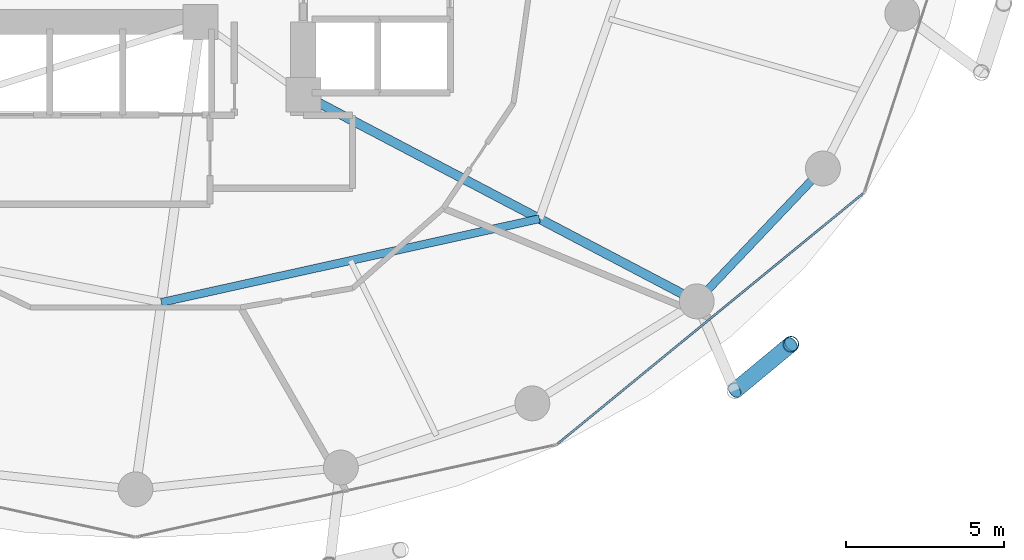
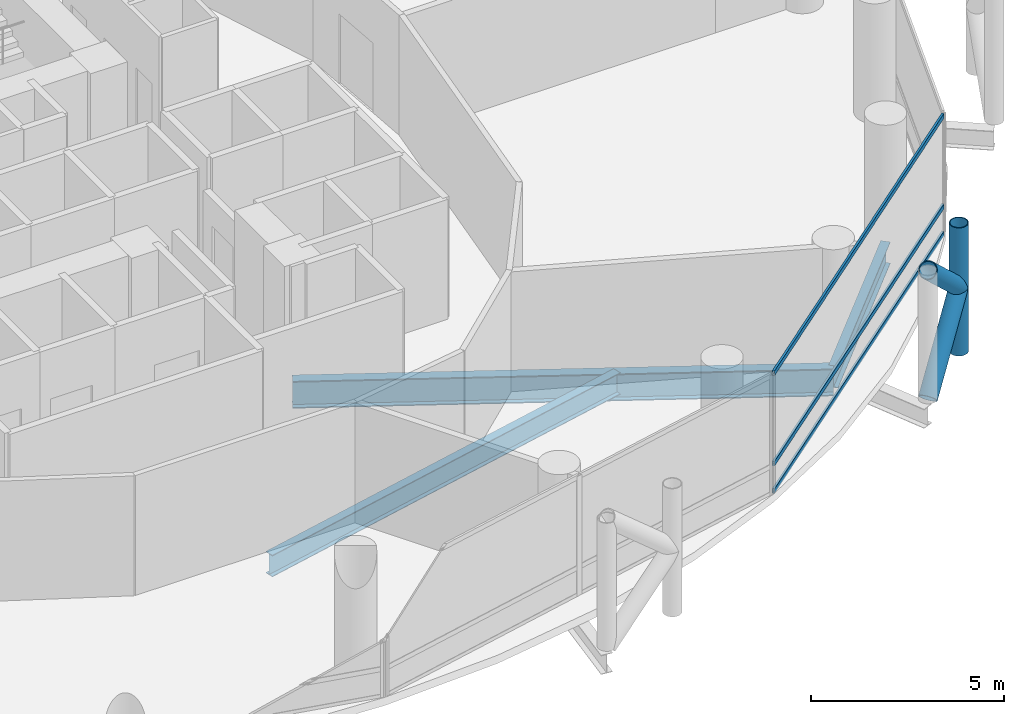
# One storey, part 9 of 24: 6 members, 3 beams, 1 element without a shape of its own.
"""IFC4 building model written with IfcOpenShell, lengths in metres."""

from ifc_helpers import new_model, si_unit, direction, frame, origin, origin_2d, place, context, subcontext, project, spatial, hollow_rectangle, hollow_circle, i_section, extrude, material, layer, layer_set, material_profile, profile_set, type_object, element, aggregate, save


model = new_model("IFC4")

# Units and contexts
model_context = context("Model", 3, precision=1e-05, world=origin(), true_north=direction((0.0, 1.0)))
body_context = subcontext(model_context, "Body", "Model", "MODEL_VIEW")
ifc_project = project(units=[si_unit("LENGTHUNIT", "METRE"), si_unit("AREAUNIT", "SQUARE_METRE"), si_unit("VOLUMEUNIT", "CUBIC_METRE"), si_unit("PLANEANGLEUNIT", "RADIAN"), si_unit("MASSUNIT", "GRAM", prefix="KILO")], contexts=[model_context])

# Site, building, storey
site_placement = place(None, origin())
site = spatial("IfcSite", under=ifc_project, at=site_placement, CompositionType="ELEMENT")
building_placement = place(site_placement, origin())
building = spatial("IfcBuilding", under=site, at=building_placement, Name="Nuhasar Tower", CompositionType="ELEMENT")
storey_placement = place(building_placement, frame((0.0, 0.0, 29.10009765625)))
storey = spatial("IfcBuildingStorey", under=building, at=storey_placement, Name="L06", CompositionType="ELEMENT", Elevation=29.10009765625)

# Beams
ifc_material_1 = material(Name="Steel S355", Category="steel")
ifc_material_profile_1 = material_profile(ifc_material_1, i_section(OverallWidth=0.25390625, OverallDepth=0.68408203125, WebThickness=0.012451171875, FlangeThickness=0.018798828125, at=origin_2d()), Name="W27X94")
ifc_profile_set_1 = profile_set([ifc_material_profile_1], Name="Steel S355")
beam_type_1 = type_object("IfcBeamType", Name="BM-INRING-W27X94", PredefinedType="BEAM", material=ifc_profile_set_1)
beam_1_placement = place(storey_placement, frame((39.820068359375, 12.449951171875, -0.60205078125), z_axis=(0.976386023343, 0.216033176665, 0.0), x_axis=(-0.216033176665, 0.976386023343, 0.0)))
element("IfcBeam", 1, at=beam_1_placement, inside=storey, type_object=beam_type_1, Name="L06 Inner Header Beam 02", PredefinedType="BEAM", context=body_context, shape_type="SweptSolid", body=[
    extrude(i_section(OverallWidth=0.25390625, OverallDepth=0.68408203125, WebThickness=0.012451171875, FlangeThickness=0.018798828125, at=origin_2d()), origin(), (0.0, 0.0, 1.0), 12.216552734375),
])
ifc_material_profile_2 = material_profile(ifc_material_1, i_section(OverallWidth=0.2919921875, OverallDepth=0.85888671875, WebThickness=0.01708984375, FlangeThickness=0.031005859375, at=origin_2d()), Name="W33X169")
ifc_profile_set_2 = profile_set([ifc_material_profile_2], Name="Steel S355")
beam_type_2 = type_object("IfcBeamType", Name="BM-POD-W33X169", PredefinedType="BEAM", material=ifc_profile_set_2)
beam_2_placement = place(storey_placement, frame((44.300048828125, 19.0, -0.690185546875), z_axis=(0.885330348705, -0.464962550816, 0.0), x_axis=(0.464962550816, 0.885330348705, 0.0)))
element("IfcBeam", 2, at=beam_2_placement, inside=storey, type_object=beam_type_2, Name="L06 Radial Floor Girder 03", PredefinedType="BEAM", context=body_context, shape_type="SweptSolid", body=[
    extrude(i_section(OverallWidth=0.2919921875, OverallDepth=0.85888671875, WebThickness=0.01708984375, FlangeThickness=0.031005859375, at=origin_2d()), origin(), (0.0, 0.0, 1.0), 14.0205078125),
])
ifc_material_profile_3 = material_profile(ifc_material_1, i_section(OverallWidth=0.256103515625, OverallDepth=0.693115234375, WebThickness=0.014404296875, FlangeThickness=0.023681640625, at=origin_2d()), Name="W27X114")
ifc_profile_set_3 = profile_set([ifc_material_profile_3], Name="Steel S355")
beam_type_3 = type_object("IfcBeamType", Name="BM-RING-W27X114", PredefinedType="SPANDREL", material=ifc_profile_set_3)
beam_3_placement = place(storey_placement, frame((56.712890625, 12.48095703125, -0.606201171875), z_axis=(0.688459812429, 0.725274490569, 0.0), x_axis=(-0.725274490569, 0.688459812429, 0.0)))
element("IfcBeam", 3, at=beam_3_placement, inside=storey, type_object=beam_type_3, Name="L06 Perimeter Ring Spandrel 22", PredefinedType="SPANDREL", context=body_context, shape_type="SweptSolid", body=[
    extrude(i_section(OverallWidth=0.256103515625, OverallDepth=0.693115234375, WebThickness=0.014404296875, FlangeThickness=0.023681640625, at=origin_2d()), origin(), (0.0, 0.0, 1.0), 5.78271484375),
])

# Curtain wall, members
ifc_material_2 = material(Name="Aluminium 6063-T6", Category="aluminium")
ifc_layer = layer(ifc_material_2, 0.199951171875)
ifc_layer_set = layer_set([ifc_layer], Name="Aluminium 6063-T6")
curtain_wall_type = type_object("IfcCurtainWallType", Name="CW-Z1-OFF", PredefinedType="NOTDEFINED", material=ifc_layer_set)
curtain_wall_placement = place(storey_placement, origin())
curtain_wall = element("IfcCurtainWall", 4, at=curtain_wall_placement, inside=storey, type_object=curtain_wall_type, Name="L06 Unitised Curtain Wall 11", PredefinedType="NOTDEFINED")
ifc_material_profile_4 = material_profile(ifc_material_2, hollow_rectangle(XDim=0.06494140625, YDim=0.14990234375, WallThickness=0.00439453125, at=origin_2d()), Name="CWT-2")
ifc_profile_set_4 = profile_set([ifc_material_profile_4], Name="Aluminium 6063-T6")
member_type_1 = type_object("IfcMemberType", Name="CW-TRN-S2", PredefinedType="USERDEFINED", material=ifc_profile_set_4)
member_1_placement = place(storey_placement, frame((52.330322265625, 7.99609375, 0.032470703125), z_axis=(0.773531229158, 0.633758185365, 0.0), x_axis=(-0.633758185365, 0.773531229158, 0.0)))
member_1 = element("IfcMember", 5, at=member_1_placement, type_object=member_type_1, Name="CW-Z1 transom 1.1", ObjectType="TRANSOM", PredefinedType="USERDEFINED", context=body_context, shape_type="SweptSolid", body=[
    extrude(hollow_rectangle(XDim=0.06494140625, YDim=0.14990234375, WallThickness=0.00439453125, at=origin_2d()), origin(), (0.0, 0.0, 1.0), 12.438232421875),
])
member_2_placement = place(storey_placement, frame((52.330322265625, 7.99609375, 0.89990234375), z_axis=(0.773531229158, 0.633758185365, 0.0), x_axis=(-0.633758185365, 0.773531229158, 0.0)))
member_2 = element("IfcMember", 6, at=member_2_placement, type_object=member_type_1, Name="CW-Z1 transom 1.2", ObjectType="TRANSOM", PredefinedType="USERDEFINED", context=body_context, shape_type="SweptSolid", body=[
    extrude(hollow_rectangle(XDim=0.06494140625, YDim=0.14990234375, WallThickness=0.00439453125, at=origin_2d()), origin(), (0.0, 0.0, 1.0), 12.438232421875),
])
member_3_placement = place(storey_placement, frame((52.330322265625, 7.99609375, 3.75732421875), z_axis=(0.773531229158, 0.633758185365, 0.0), x_axis=(-0.633758185365, 0.773531229158, 0.0)))
member_3 = element("IfcMember", 7, at=member_3_placement, type_object=member_type_1, Name="CW-Z1 transom 1.3", ObjectType="TRANSOM", PredefinedType="USERDEFINED", context=body_context, shape_type="SweptSolid", body=[
    extrude(hollow_rectangle(XDim=0.06494140625, YDim=0.14990234375, WallThickness=0.00439453125, at=origin_2d()), origin(), (0.0, 0.0, 1.0), 12.438232421875),
])
aggregate(curtain_wall, [member_1, member_2, member_3])

# Members
ifc_material_3 = material(Name="Steel S460", Category="steel")
ifc_material_profile_5 = material_profile(ifc_material_3, hollow_circle(Radius=0.25390625, WallThickness=0.025390625, at=origin_2d()), Name="HSS508X25.4")
ifc_profile_set_5 = profile_set([ifc_material_profile_5], Name="Steel S460")
member_type_2 = type_object("IfcMemberType", Name="EXO-BRONZE-508", PredefinedType="BRACE", material=ifc_profile_set_5)
member_4_placement = place(storey_placement, frame((59.68505859375, 11.12890625, 0.0), z_axis=(0.0, 0.0, 1.0), x_axis=(1.0, 0.0, 0.0)))
element("IfcMember", 8, at=member_4_placement, inside=storey, type_object=member_type_2, Name="L06 Exoskeleton Chord Column EC-11B", PredefinedType="BRACE", context=body_context, shape_type="SweptSolid", body=[
    extrude(hollow_circle(Radius=0.25390625, WallThickness=0.025390625, at=origin_2d()), origin(), (0.0, 0.0, 1.0), 4.0498046875),
])
for number, where, z_axis, x_axis, name in (
    (9, (57.9130859375, 9.660888671875, 0.0), (0.578101613167, 0.478937034992, 0.660619286251), (-0.637969333506, 0.770061769929, 0.0), "L06 Bronze Diagrid Brace W1-11"),
    (10, (59.68505859375, 11.12890625, 2.02490234375), (-0.578101613167, -0.478937034992, 0.660619286251), (0.637969333506, -0.770061769929, 0.0), "L06 Bronze Diagrid Brace W2-11"),
):
    element("IfcMember", number, at=place(storey_placement, frame(where, z_axis=z_axis, x_axis=x_axis)), inside=storey, type_object=member_type_2, Name=name, PredefinedType="BRACE", context=body_context, shape_type="SweptSolid", body=[
        extrude(hollow_circle(Radius=0.25390625, WallThickness=0.025390625, at=origin_2d()), origin(), (0.0, 0.0, 1.0), 3.065185546875),
    ])

save(model, "model.ifc")
